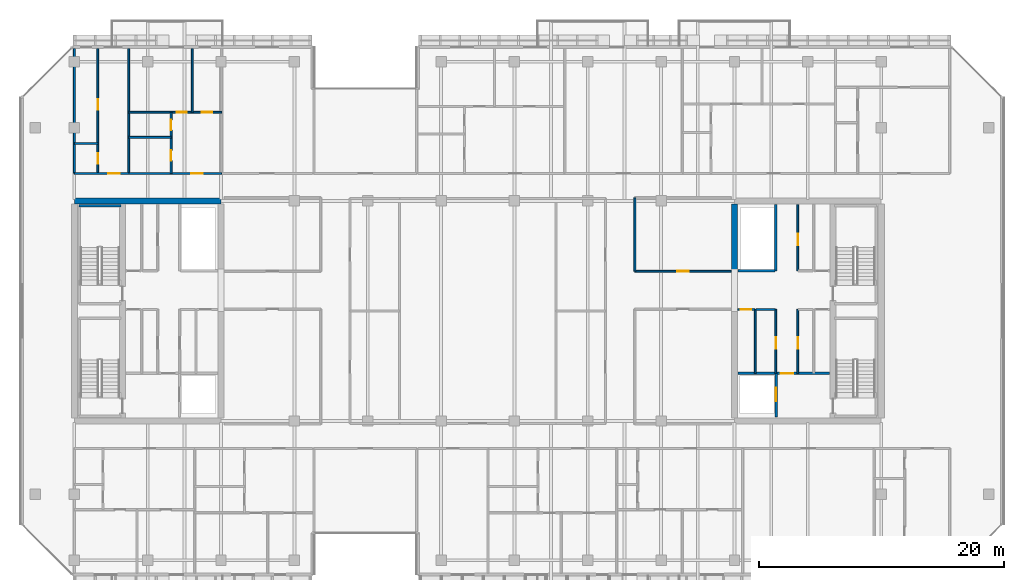
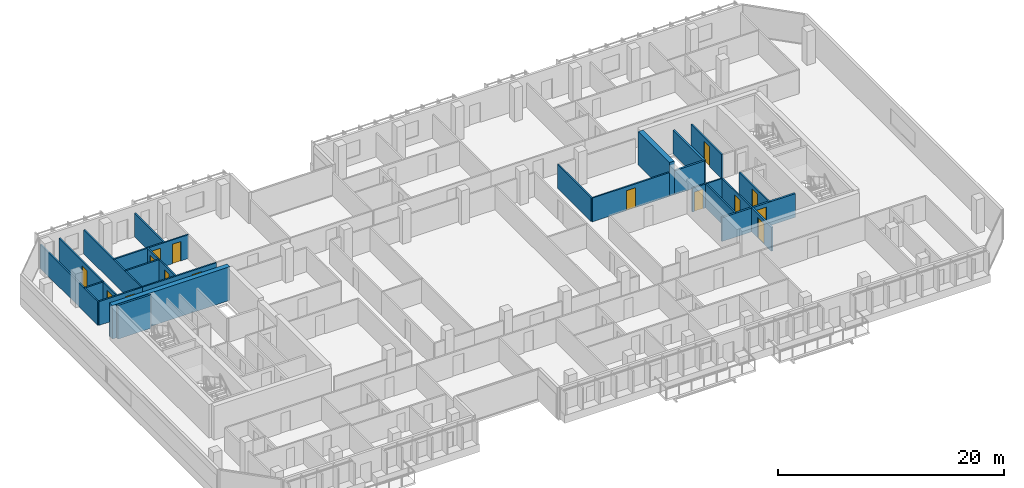
# One storey, part 22 of 31: 25 walls, 15 doors, 15 openings.
"""IFC4 building model written with IfcOpenShell, lengths in metres."""

import ifcopenshell
import ifcopenshell.guid

model = None  # the IFC model being written
_history = None  # IfcOwnerHistory: only IFC2X3 demands one
_inside = {}  # id of a spatial element -> (the spatial element, [elements in it])
_under = {}  # id of a project, library or spatial element -> (it, [spatial elements below it])
_declared = {}  # id of a project -> (the project, [libraries it declares])
_typed = {}  # id of a type object -> (the type object, [elements of that type])
_made_of = {}  # id of a material, layer set ... -> (it, [elements and type objects made of it])


def new_model(schema):
    """Start an empty IFC model of exactly this schema.

    Asked for "IFC4X3", IfcOpenShell would pick the latest addendum, in which some entities
    have other attributes; the version numbers below select the first issue.
    IFC2X3 requires an IfcOwnerHistory on every rooted entity: one is made here for all.
    """
    global model, _history
    if schema == "IFC4X3":
        model = ifcopenshell.file(schema_version=(4, 3, 0, 0))
    else:
        model = ifcopenshell.file(schema=schema)
    _inside.clear()
    _under.clear()
    _declared.clear()
    _typed.clear()
    _made_of.clear()
    _history = None
    if model.schema == "IFC2X3":
        org = make("IfcOrganization", Name="unknown")
        user = make(
            "IfcPersonAndOrganization",
            ThePerson=make("IfcPerson", FamilyName="unknown"),
            TheOrganization=org,
        )
        app = make(
            "IfcApplication",
            ApplicationDeveloper=org,
            Version="unknown",
            ApplicationFullName="unknown",
            ApplicationIdentifier="unknown",
        )
        _history = make(
            "IfcOwnerHistory",
            OwningUser=user,
            OwningApplication=app,
            ChangeAction="ADDED",
            CreationDate=0,
        )
    return model


def make(cls, **values):
    """One entity of the class cls with the attributes given. An attribute that is None is left unset."""
    return model.create_entity(
        cls, **{name: value for name, value in values.items() if value is not None}
    )


def rooted(cls, **values):
    """An entity with a GlobalId (a new one), such as an element, a storey or a relation."""
    return make(cls, GlobalId=ifcopenshell.guid.new(), OwnerHistory=_history, **values)


def si_unit(unit_type, name, prefix=None):
    """IfcSIUnit, for example si_unit("LENGTHUNIT", "METRE", prefix="MILLI")."""
    return make("IfcSIUnit", UnitType=unit_type, Prefix=prefix, Name=name)


def assignment(units):
    """IfcUnitAssignment: the units of a project."""
    return None if units is None else make("IfcUnitAssignment", Units=units)


def point(xyz):
    """IfcCartesianPoint."""
    return None if xyz is None else make("IfcCartesianPoint", Coordinates=xyz)


def direction(xyz):
    """IfcDirection."""
    return None if xyz is None else make("IfcDirection", DirectionRatios=xyz)


def frame(location, z_axis=None, x_axis=None):
    """IfcAxis2Placement3D, a coordinate frame: its origin and axes. An axis left out is left unset."""
    return make(
        "IfcAxis2Placement3D",
        Location=point(location),
        Axis=direction(z_axis),
        RefDirection=direction(x_axis),
    )


def frame_2d(location, x_axis=None):
    """IfcAxis2Placement2D, a coordinate frame in the plane: its origin and x axis."""
    return make(
        "IfcAxis2Placement2D", Location=point(location), RefDirection=direction(x_axis)
    )


def origin():
    """The frame at (0, 0, 0) with its axes left unset."""
    return frame((0.0, 0.0, 0.0))


def place(relative_to, where):
    """IfcLocalPlacement: puts the frame where relative to a parent placement (None: the world)."""
    return make(
        "IfcLocalPlacement", PlacementRelTo=relative_to, RelativePlacement=where
    )


def context(
    kind, dimensions, precision=None, world=None, true_north=None, identifier=None
):
    """IfcGeometricRepresentationContext, for example the 3D "Model" context."""
    return make(
        "IfcGeometricRepresentationContext",
        ContextIdentifier=identifier,
        ContextType=kind,
        CoordinateSpaceDimension=dimensions,
        Precision=precision,
        WorldCoordinateSystem=world,
        TrueNorth=true_north,
    )


def subcontext(parent, identifier, kind, view, scale=None):
    """IfcGeometricRepresentationSubContext, for example "Body" below "Model"."""
    return make(
        "IfcGeometricRepresentationSubContext",
        ContextIdentifier=identifier,
        ContextType=kind,
        ParentContext=parent,
        TargetScale=scale,
        TargetView=view,
    )


def project(units=None, contexts=None):
    """IfcProject with its units and contexts."""
    return rooted(
        "IfcProject",
        Name="project",
        RepresentationContexts=contexts,
        UnitsInContext=assignment(units),
    )


def spatial(cls, under=None, at=None, **own):
    """A site, building, storey or space (cls), placed at a placement, below another one or the project."""
    s = rooted(cls, ObjectPlacement=at, **own)
    if under is not None:
        _under.setdefault(under.id(), (under, []))[1].append(s)
    return s


def profile(cls, at=None, kind="AREA", **sizes):
    """A parametric profile (cls). Its sizes go by their IFC names, for example OverallWidth=200.0."""
    return make(cls, ProfileType=kind, Position=at, **sizes)


def rectangle(**sizes):
    """IfcRectangleProfileDef."""
    return profile("IfcRectangleProfileDef", **sizes)


def extrude(swept, where, along, depth):
    """IfcExtrudedAreaSolid: the profile swept, set in the frame where, extruded along a direction by depth."""
    return make(
        "IfcExtrudedAreaSolid",
        SweptArea=swept,
        Position=where,
        ExtrudedDirection=direction(along),
        Depth=depth,
    )


def shape(context_of_items, identifier, shape_type, items):
    """IfcShapeRepresentation: the items that make up one representation, for example the "Body"."""
    return make(
        "IfcShapeRepresentation",
        ContextOfItems=context_of_items,
        RepresentationIdentifier=identifier,
        RepresentationType=shape_type,
        Items=items,
    )


def material(Name=None, Category=None):
    """IfcMaterial."""
    return make("IfcMaterial", Name=Name, Category=Category)


def layer(
    of_material, thickness, ventilated=None, Name=None, Category=None, Priority=None
):
    """IfcMaterialLayer: one layer of a wall or slab, of a material (None: an air gap)."""
    return make(
        "IfcMaterialLayer",
        Material=of_material,
        LayerThickness=thickness,
        IsVentilated=ventilated,
        Name=Name,
        Category=Category,
        Priority=Priority,
    )


def layer_set(layers, Name=None):
    """IfcMaterialLayerSet."""
    return make("IfcMaterialLayerSet", MaterialLayers=layers, LayerSetName=Name)


def made_of(thing, what):
    """Note that an element or type object is made of a material, layer set ...; save() writes the relation."""
    if what is not None:
        _made_of.setdefault(what.id(), (what, []))[1].append(thing)
    return thing


def type_object(cls, material=None, **own):
    """A type object (cls), such as IfcWallType, which elements share."""
    return made_of(rooted(cls, **own), material)


def element(
    cls,
    number,
    at=None,
    inside=None,
    cuts=None,
    type_object=None,
    material=None,
    context=None,
    identifier="Body",
    shape_type=None,
    held_by="IfcProductDefinitionShape",
    body=None,
    shapes=None,
    **own,
):
    """One element of the class cls, such as IfcWall. Its Tag is "e" and its number.

    at: its placement. inside: the storey or other place that contains it. cuts: it is an
    opening in that element (IfcRelVoidsElement). A single representation is given by context,
    identifier, shape_type and body (its items); several are given by shapes. held_by: the class
    of the entity that holds the representations. save() writes the other relations.
    """
    e = rooted(cls, Tag="e%d" % number, ObjectPlacement=at, **own)
    if body is not None:
        shapes = [shape(context, identifier, shape_type, body)]
    if shapes is not None:
        e.Representation = make(held_by, Representations=shapes)
    if inside is not None:
        _inside.setdefault(inside.id(), (inside, []))[1].append(e)
    if cuts is not None:
        rooted(
            "IfcRelVoidsElement", RelatingBuildingElement=cuts, RelatedOpeningElement=e
        )
    if type_object is not None:
        _typed.setdefault(type_object.id(), (type_object, []))[1].append(e)
    return made_of(e, material)


def fill(opening, filler):
    """IfcRelFillsElement: the door or window that sits in an opening."""
    return rooted(
        "IfcRelFillsElement",
        RelatingOpeningElement=opening,
        RelatedBuildingElement=filler,
    )


def aggregate(whole, parts):
    """IfcRelAggregates: a whole, such as a stair, and the parts it consists of."""
    return rooted("IfcRelAggregates", RelatingObject=whole, RelatedObjects=parts)


def save(model, path):
    """Write the relations noted so far, then the file.

    IfcRelAggregates (storeys below a building ...), IfcRelContainedInSpatialStructure (elements
    in a storey), IfcRelDefinesByType, IfcRelAssociatesMaterial and IfcRelDeclares: one each for
    every whole, place, type object, material and project.
    """
    for whole, parts in _under.values():
        aggregate(whole, parts)
    for where, things in _inside.values():
        rooted(
            "IfcRelContainedInSpatialStructure",
            RelatedElements=things,
            RelatingStructure=where,
        )
    for kind, things in _typed.values():
        rooted("IfcRelDefinesByType", RelatedObjects=things, RelatingType=kind)
    for what, things in _made_of.values():
        rooted("IfcRelAssociatesMaterial", RelatedObjects=things, RelatingMaterial=what)
    for by, libraries in _declared.values():
        rooted("IfcRelDeclares", RelatingContext=by, RelatedDefinitions=libraries)
    model.write(path)


model = new_model("IFC4")

# Units and contexts
model_context = context("Model", 3, precision=1e-05, world=origin(), true_north=direction((0.0, 1.0)))
body_context = subcontext(model_context, "Body", "Model", "MODEL_VIEW")
ifc_project = project(units=[si_unit("LENGTHUNIT", "METRE"), si_unit("AREAUNIT", "SQUARE_METRE"), si_unit("VOLUMEUNIT", "CUBIC_METRE"), si_unit("PLANEANGLEUNIT", "RADIAN"), si_unit("MASSUNIT", "GRAM", prefix="KILO")], contexts=[model_context])

# Site, building, storey
site_placement = place(None, origin())
site = spatial("IfcSite", under=ifc_project, at=site_placement, CompositionType="ELEMENT")
building_placement = place(site_placement, origin())
building = spatial("IfcBuilding", under=site, at=building_placement, Name="Tanjung Sevakor Pilgrim Tower", CompositionType="ELEMENT")
storey_placement = place(building_placement, frame((0.0, 0.0, 169.2900390625)))
storey = spatial("IfcBuildingStorey", under=building, at=storey_placement, Name="L47", CompositionType="ELEMENT", Elevation=169.2900390625)

# Walls
ifc_material_1 = material(Name="Concrete C60/75", Category="concrete")
ifc_layer_1 = layer(ifc_material_1, 0.5)
ifc_layer_set_1 = layer_set([ifc_layer_1], Name="WALL-CW-500")
wall_type_1 = type_object("IfcWallType", Name="WALL-CW-500", PredefinedType="SHEAR", material=ifc_layer_set_1)
wall_1_placement = place(storey_placement, frame((36.0, 42.60009765625, 0.0), z_axis=(0.0, 0.0, 1.0), x_axis=(-1.0, 0.0, 0.0)))
element("IfcWall", 1, at=wall_1_placement, inside=storey, type_object=wall_type_1, Name="L47 W Core North Shear Wall", PredefinedType="SHEAR", context=body_context, shape_type="SweptSolid", body=[
    extrude(rectangle(XDim=12.0, YDim=0.5, at=frame_2d((6.0, 0.0))), origin(), (0.0, 0.0, 1.0), 3.6298828125),
])
wall_2_placement = place(storey_placement, frame((78.0, 36.800048828125, 0.0), z_axis=(0.0, 0.0, 1.0), x_axis=(0.0, 1.0, 0.0)))
element("IfcWall", 2, at=wall_2_placement, inside=storey, type_object=wall_type_1, Name="L47 E Core Inner Shear Wall North", PredefinedType="SHEAR", context=body_context, shape_type="SweptSolid", body=[
    extrude(rectangle(XDim=5.550048828125, YDim=0.5, at=frame_2d((2.77490234375, 0.0))), origin(), (0.0, 0.0, 1.0), 3.6298828125),
])

# Wall, opening, door
ifc_material_2 = material(Name="Concrete C40/50", Category="concrete")
ifc_layer_2 = layer(ifc_material_2, 0.14990234375)
ifc_layer_set_2 = layer_set([ifc_layer_2], Name="WT-COMP-150")
wall_type_2 = type_object("IfcWallType", Name="WT-COMP-150", PredefinedType="SOLIDWALL", material=ifc_layer_set_2)
wall_3_placement = place(storey_placement, frame((83.179931640625, 28.5, 0.0), z_axis=(0.0, 0.0, 1.0), x_axis=(0.0, 1.0, 0.0)))
wall_3 = element("IfcWall", 3, at=wall_3_placement, inside=storey, type_object=wall_type_2, Name="L47 Partition IW-L47-022", PredefinedType="SOLIDWALL", context=body_context, shape_type="SweptSolid", body=[
    extrude(rectangle(XDim=5.219970703125, YDim=0.14990234375, at=frame_2d((2.60986328125, 0.0))), origin(), (0.0, 0.0, 1.0), 2.570068359375),
])
opening_1_placement = place(wall_3_placement, frame((2.0, 0.0, 0.0)))
opening_1 = element("IfcOpeningElement", 4, at=opening_1_placement, cuts=wall_3, Name="Opening ID-FD2", PredefinedType="OPENING", context=body_context, shape_type="SweptSolid", body=[
    extrude(rectangle(XDim=0.949951171875, YDim=2.14990234375, at=frame_2d((0.47509765625, 1.074951171875))), frame((0.0, 0.0849609375, 0.0), z_axis=(0.0, -1.0, 0.0), x_axis=(1.0, 0.0, 0.0)), (0.0, 0.0, 1.0), 0.169921875),
])
ifc_material_3 = material(Name="Fire-Rated Timber", Category="wood")
door_type_1 = type_object("IfcDoorType", Name="DT-FIRE-950", OperationType="NOTDEFINED", PredefinedType="DOOR", material=ifc_material_3)
door_1_placement = place(opening_1_placement, origin())
door_1 = element("IfcDoor", 5, at=door_1_placement, inside=storey, type_object=door_type_1, Name="L47 Housekeeping Pantry Door", OperationType="SINGLE_SWING_LEFT", OverallHeight=2.14990234375, OverallWidth=0.949951171875, PredefinedType="DOOR", context=body_context, shape_type="SweptSolid", body=[
    extrude(rectangle(XDim=0.949951171875, YDim=2.14990234375, at=frame_2d((0.47509765625, 1.074951171875))), frame((0.0, 0.02490234375, 0.0), z_axis=(0.0, -1.0, 0.0), x_axis=(1.0, 0.0, 0.0)), (0.0, 0.0, 1.0), 0.050048828125),
])
fill(opening_1, door_1)

# Walls
wall_4_placement = place(storey_placement, frame((79.699951171875, 28.5, 0.0), z_axis=(0.0, 0.0, 1.0), x_axis=(0.0, 1.0, 0.0)))
element("IfcWall", 6, at=wall_4_placement, inside=storey, type_object=wall_type_2, Name="L47 Partition IW-L47-023", PredefinedType="SOLIDWALL", context=body_context, shape_type="SweptSolid", body=[
    extrude(rectangle(XDim=5.219970703125, YDim=0.14990234375, at=frame_2d((2.60986328125, 0.0))), origin(), (0.0, 0.0, 1.0), 2.570068359375),
])
wall_5_placement = place(storey_placement, frame((79.760009765625, 33.719970703125, 0.0), z_axis=(0.0, 0.0, 1.0), x_axis=(1.0, 0.0, 0.0)))
element("IfcWall", 7, at=wall_5_placement, inside=storey, type_object=wall_type_2, Name="L47 Partition IW-L47-024", PredefinedType="SOLIDWALL", context=body_context, shape_type="SweptSolid", body=[
    extrude(rectangle(XDim=1.56005859375, YDim=0.14990234375, at=frame_2d((0.780029296875, 0.0))), origin(), (0.0, 0.0, 1.0), 2.570068359375),
])

# Wall, opening, door
wall_6_placement = place(storey_placement, frame((78.27001953125, 33.719970703125, 0.0), z_axis=(0.0, 0.0, 1.0), x_axis=(1.0, 0.0, 0.0)))
wall_6 = element("IfcWall", 8, at=wall_6_placement, inside=storey, type_object=wall_type_2, Name="L47 Partition IW-L47-025", PredefinedType="SOLIDWALL", context=body_context, shape_type="SweptSolid", body=[
    extrude(rectangle(XDim=1.369873046875, YDim=0.14990234375, at=frame_2d((0.68505859375, 0.0))), origin(), (0.0, 0.0, 1.0), 2.570068359375),
])
opening_2_placement = place(wall_6_placement, frame((0.239990234375, 0.0, 0.0)))
opening_2 = element("IfcOpeningElement", 9, at=opening_2_placement, cuts=wall_6, Name="Opening ID-FD3", PredefinedType="OPENING", context=body_context, shape_type="SweptSolid", body=[
    extrude(rectangle(XDim=0.85009765625, YDim=2.10009765625, at=frame_2d((0.425048828125, 1.050048828125))), frame((0.0, 0.0849609375, 0.0), z_axis=(0.0, -1.0, 0.0), x_axis=(1.0, 0.0, 0.0)), (0.0, 0.0, 1.0), 0.169921875),
])
ifc_material_4 = material(Name="Fire-Rated Timber", Category="wood")
door_type_2 = type_object("IfcDoorType", Name="DT-FIRE-850", OperationType="NOTDEFINED", PredefinedType="DOOR", material=ifc_material_4)
door_2_placement = place(opening_2_placement, origin())
door_2 = element("IfcDoor", 10, at=door_2_placement, inside=storey, type_object=door_type_2, Name="L47 Service Store Door", OperationType="SINGLE_SWING_RIGHT", OverallHeight=2.10009765625, OverallWidth=0.85009765625, PredefinedType="DOOR", context=body_context, shape_type="SweptSolid", body=[
    extrude(rectangle(XDim=0.85009765625, YDim=2.10009765625, at=frame_2d((0.425048828125, 1.050048828125))), frame((0.0, 0.02490234375, 0.0), z_axis=(0.0, -1.0, 0.0), x_axis=(1.0, 0.0, 0.0)), (0.0, 0.0, 1.0), 0.050048828125),
])
fill(opening_2, door_2)

wall_7_placement = place(storey_placement, frame((81.3798828125, 28.5, 0.0), z_axis=(0.0, 0.0, 1.0), x_axis=(0.0, 1.0, 0.0)))
wall_7 = element("IfcWall", 11, at=wall_7_placement, inside=storey, type_object=wall_type_2, Name="L47 Partition IW-L47-026", PredefinedType="SOLIDWALL", context=body_context, shape_type="SweptSolid", body=[
    extrude(rectangle(XDim=5.219970703125, YDim=0.14990234375, at=frame_2d((2.60986328125, 0.0))), origin(), (0.0, 0.0, 1.0), 2.570068359375),
])
opening_3_placement = place(wall_7_placement, frame((2.0, 0.0, 0.0)))
opening_3 = element("IfcOpeningElement", 12, at=opening_3_placement, cuts=wall_7, Name="Opening ID-FD2", PredefinedType="OPENING", context=body_context, shape_type="SweptSolid", body=[
    extrude(rectangle(XDim=0.949951171875, YDim=2.14990234375, at=frame_2d((0.47509765625, 1.074951171875))), frame((0.0, 0.0849609375, 0.0), z_axis=(0.0, -1.0, 0.0), x_axis=(1.0, 0.0, 0.0)), (0.0, 0.0, 1.0), 0.169921875),
])
door_3_placement = place(opening_3_placement, origin())
door_3 = element("IfcDoor", 13, at=door_3_placement, inside=storey, type_object=door_type_1, Name="L47 Accessible WC Door", OperationType="SINGLE_SWING_LEFT", OverallHeight=2.14990234375, OverallWidth=0.949951171875, PredefinedType="DOOR", context=body_context, shape_type="SweptSolid", body=[
    extrude(rectangle(XDim=0.949951171875, YDim=2.14990234375, at=frame_2d((0.47509765625, 1.074951171875))), frame((0.0, 0.02490234375, 0.0), z_axis=(0.0, -1.0, 0.0), x_axis=(1.0, 0.0, 0.0)), (0.0, 0.0, 1.0), 0.050048828125),
])
fill(opening_3, door_3)

wall_8_placement = place(storey_placement, frame((83.179931640625, 36.8798828125, 0.0), z_axis=(0.0, 0.0, 1.0), x_axis=(0.0, 1.0, 0.0)))
wall_8 = element("IfcWall", 14, at=wall_8_placement, inside=storey, type_object=wall_type_2, Name="L47 Partition IW-L47-030", PredefinedType="SOLIDWALL", context=body_context, shape_type="SweptSolid", body=[
    extrude(rectangle(XDim=5.420166015625, YDim=0.14990234375, at=frame_2d((2.7099609375, 0.0))), origin(), (0.0, 0.0, 1.0), 2.570068359375),
])
opening_4_placement = place(wall_8_placement, frame((2.10009765625, 0.0, 0.0)))
opening_4 = element("IfcOpeningElement", 15, at=opening_4_placement, cuts=wall_8, Name="Opening ID-FD2", PredefinedType="OPENING", context=body_context, shape_type="SweptSolid", body=[
    extrude(rectangle(XDim=0.949951171875, YDim=2.14990234375, at=frame_2d((0.47509765625, 1.074951171875))), frame((0.0, 0.0849609375, 0.0), z_axis=(0.0, -1.0, 0.0), x_axis=(1.0, 0.0, 0.0)), (0.0, 0.0, 1.0), 0.169921875),
])
door_4_placement = place(opening_4_placement, origin())
door_4 = element("IfcDoor", 16, at=door_4_placement, inside=storey, type_object=door_type_1, Name="L47 Core Reading Room Door", OperationType="SINGLE_SWING_LEFT", OverallHeight=2.14990234375, OverallWidth=0.949951171875, PredefinedType="DOOR", context=body_context, shape_type="SweptSolid", body=[
    extrude(rectangle(XDim=0.949951171875, YDim=2.14990234375, at=frame_2d((0.47509765625, 1.074951171875))), frame((0.0, 0.02490234375, 0.0), z_axis=(0.0, -1.0, 0.0), x_axis=(1.0, 0.0, 0.0)), (0.0, 0.0, 1.0), 0.050048828125),
])
fill(opening_4, door_4)

wall_9_placement = place(storey_placement, frame((69.85009765625, 36.85009765625, 0.0), z_axis=(0.0, 0.0, 1.0), x_axis=(1.0, 0.0, 0.0)))
wall_9 = element("IfcWall", 17, at=wall_9_placement, inside=storey, type_object=wall_type_2, Name="L47 Partition IW-L47-042", PredefinedType="SOLIDWALL", context=body_context, shape_type="SweptSolid", body=[
    extrude(rectangle(XDim=7.8798828125, YDim=0.14990234375, at=frame_2d((3.93994140625, 0.0))), origin(), (0.0, 0.0, 1.0), 2.570068359375),
])
opening_5_placement = place(wall_9_placement, frame((3.465087890625, 0.0, 0.0)))
opening_5 = element("IfcOpeningElement", 18, at=opening_5_placement, cuts=wall_9, Name="Opening ID-RM1", PredefinedType="OPENING", context=body_context, shape_type="SweptSolid", body=[
    extrude(rectangle(XDim=0.949951171875, YDim=2.14990234375, at=frame_2d((0.47509765625, 1.074951171875))), frame((0.0, 0.0849609375, 0.0), z_axis=(0.0, -1.0, 0.0), x_axis=(1.0, 0.0, 0.0)), (0.0, 0.0, 1.0), 0.169921875),
])
ifc_material_5 = material(Name="Hardwood Timber", Category="wood")
door_type_3 = type_object("IfcDoorType", Name="DT-INT-950", OperationType="NOTDEFINED", PredefinedType="DOOR", material=ifc_material_5)
door_5_placement = place(opening_5_placement, origin())
door_5 = element("IfcDoor", 19, at=door_5_placement, inside=storey, type_object=door_type_3, Name="L47 East Inboard North Door", OperationType="SINGLE_SWING_LEFT", OverallHeight=2.14990234375, OverallWidth=0.949951171875, PredefinedType="DOOR", context=body_context, shape_type="SweptSolid", body=[
    extrude(rectangle(XDim=0.949951171875, YDim=2.14990234375, at=frame_2d((0.47509765625, 1.074951171875))), frame((0.0, 0.02490234375, 0.0), z_axis=(0.0, -1.0, 0.0), x_axis=(1.0, 0.0, 0.0)), (0.0, 0.0, 1.0), 0.050048828125),
])
fill(opening_5, door_5)

# Walls
wall_10_placement = place(storey_placement, frame((69.85009765625, 36.85009765625, 0.0), z_axis=(0.0, 0.0, 1.0), x_axis=(0.0, 1.0, 0.0)))
element("IfcWall", 20, at=wall_10_placement, inside=storey, type_object=wall_type_2, Name="L47 Partition IW-L47-044", PredefinedType="SOLIDWALL", context=body_context, shape_type="SweptSolid", body=[
    extrude(rectangle(XDim=6.0, YDim=0.14990234375, at=frame_2d((3.0, 0.0))), origin(), (0.0, 0.0, 1.0), 2.570068359375),
])
for number, where, z_axis, x_axis, name in (
    (21, (24.0, 44.85009765625, 0.0), (0.0, 0.0, 1.0), (0.0, 1.0, 0.0), "L47 Partition IW-L47-097"),
    (22, (28.457275390625, 44.85009765625, 0.0), (0.0, 0.0, 1.0), (0.0, 1.0, 0.0), "L47 Partition IW-L47-098"),
):
    element("IfcWall", number, at=place(storey_placement, frame(where, z_axis=z_axis, x_axis=x_axis)), inside=storey, type_object=wall_type_2, Name=name, PredefinedType="SOLIDWALL", context=body_context, shape_type="SweptSolid", body=[
        extrude(rectangle(XDim=10.199951171875, YDim=0.14990234375, at=frame_2d((5.10009765625, 0.0))), origin(), (0.0, 0.0, 1.0), 2.570068359375),
    ])

# Wall, opening, door
wall_11_placement = place(storey_placement, frame((24.0, 44.85009765625, 0.0), z_axis=(0.0, 0.0, 1.0), x_axis=(1.0, 0.0, 0.0)))
wall_11 = element("IfcWall", 23, at=wall_11_placement, inside=storey, type_object=wall_type_2, Name="L47 Partition IW-L47-101", PredefinedType="SOLIDWALL", context=body_context, shape_type="SweptSolid", body=[
    extrude(rectangle(XDim=4.457275390625, YDim=0.14990234375, at=frame_2d((2.228515625, 0.0))), origin(), (0.0, 0.0, 1.0), 2.570068359375),
])
opening_6_placement = place(wall_11_placement, frame((2.753662109375, 0.0, 0.0)))
opening_6 = element("IfcOpeningElement", 24, at=opening_6_placement, cuts=wall_11, Name="Opening ID-FD2", PredefinedType="OPENING", context=body_context, shape_type="SweptSolid", body=[
    extrude(rectangle(XDim=0.949951171875, YDim=2.14990234375, at=frame_2d((0.47509765625, 1.074951171875))), frame((0.0, 0.0849609375, 0.0), z_axis=(0.0, -1.0, 0.0), x_axis=(1.0, 0.0, 0.0)), (0.0, 0.0, 1.0), 0.169921875),
])
door_6_placement = place(opening_6_placement, origin())
door_6 = element("IfcDoor", 25, at=door_6_placement, inside=storey, type_object=door_type_1, Name="Hotel Guestroom Entrance", OperationType="SINGLE_SWING_RIGHT", OverallHeight=2.14990234375, OverallWidth=0.949951171875, PredefinedType="DOOR", context=body_context, shape_type="SweptSolid", body=[
    extrude(rectangle(XDim=0.949951171875, YDim=2.14990234375, at=frame_2d((0.47509765625, 1.074951171875))), frame((0.0, 0.02490234375, 0.0), z_axis=(0.0, -1.0, 0.0), x_axis=(1.0, 0.0, 0.0)), (0.0, 0.0, 1.0), 0.050048828125),
])
fill(opening_6, door_6)

wall_12_placement = place(storey_placement, frame((28.457275390625, 44.85009765625, 0.0), z_axis=(0.0, 0.0, 1.0), x_axis=(1.0, 0.0, 0.0)))
wall_12 = element("IfcWall", 26, at=wall_12_placement, inside=storey, type_object=wall_type_2, Name="L47 Partition IW-L47-107", PredefinedType="SOLIDWALL", context=body_context, shape_type="SweptSolid", body=[
    extrude(rectangle(XDim=7.593994140625, YDim=0.14990234375, at=frame_2d((3.796875, 0.0))), origin(), (0.0, 0.0, 1.0), 2.570068359375),
])
opening_7_placement = place(wall_12_placement, frame((5.09326171875, 0.0, 0.0)))
opening_7 = element("IfcOpeningElement", 27, at=opening_7_placement, cuts=wall_12, Name="Opening ID-FD2", PredefinedType="OPENING", context=body_context, shape_type="SweptSolid", body=[
    extrude(rectangle(XDim=0.949951171875, YDim=2.14990234375, at=frame_2d((0.47509765625, 1.074951171875))), frame((0.0, 0.0849609375, 0.0), z_axis=(0.0, -1.0, 0.0), x_axis=(1.0, 0.0, 0.0)), (0.0, 0.0, 1.0), 0.169921875),
])
door_7_placement = place(opening_7_placement, origin())
door_7 = element("IfcDoor", 28, at=door_7_placement, inside=storey, type_object=door_type_1, Name="Suite Entrance", OperationType="SINGLE_SWING_LEFT", OverallHeight=2.14990234375, OverallWidth=0.949951171875, PredefinedType="DOOR", context=body_context, shape_type="SweptSolid", body=[
    extrude(rectangle(XDim=0.949951171875, YDim=2.14990234375, at=frame_2d((0.47509765625, 1.074951171875))), frame((0.0, 0.02490234375, 0.0), z_axis=(0.0, -1.0, 0.0), x_axis=(1.0, 0.0, 0.0)), (0.0, 0.0, 1.0), 0.050048828125),
])
fill(opening_7, door_7)

# Wall
ifc_material_6 = material(Name="Concrete C40/50", Category="concrete")
ifc_layer_3 = layer(ifc_material_6, 0.199951171875)
ifc_layer_set_3 = layer_set([ifc_layer_3], Name="WT-FIRE-200")
wall_type_3 = type_object("IfcWallType", Name="WT-FIRE-200", PredefinedType="SOLIDWALL", material=ifc_layer_set_3)
wall_13_placement = place(storey_placement, frame((27.800048828125, 42.199951171875, 0.0), z_axis=(0.0, 0.0, 1.0), x_axis=(-1.0, 0.0, 0.0)))
element("IfcWall", 29, at=wall_13_placement, inside=storey, type_object=wall_type_3, Name="L47 TS-W2 Shaft Wall 2", PredefinedType="SOLIDWALL", context=body_context, shape_type="SweptSolid", body=[
    extrude(rectangle(XDim=3.400146484375, YDim=0.199951171875, at=frame_2d((1.7001953125, 0.0))), origin(), (0.0, 0.0, 1.0), 3.6298828125),
])

# Wall, opening, door
ifc_material_7 = material(Name="Concrete C40/50", Category="concrete")
ifc_layer_4 = layer(ifc_material_7, 0.199951171875)
ifc_layer_set_4 = layer_set([ifc_layer_4], Name="WT-FPRT-200")
wall_type_4 = type_object("IfcWallType", Name="WT-FPRT-200", PredefinedType="SOLIDWALL", material=ifc_layer_set_4)
wall_14_placement = place(storey_placement, frame((81.39990234375, 24.919921875, 0.0), z_axis=(0.0, 0.0, 1.0), x_axis=(0.0, 1.0, 0.0)))
wall_14 = element("IfcWall", 30, at=wall_14_placement, inside=storey, type_object=wall_type_4, Name="L47 Partition IW-L47-017", PredefinedType="SOLIDWALL", context=body_context, shape_type="SweptSolid", body=[
    extrude(rectangle(XDim=3.580078125, YDim=0.199951171875, at=frame_2d((1.7900390625, 0.0))), origin(), (0.0, 0.0, 1.0), 2.570068359375),
])
opening_8_placement = place(wall_14_placement, frame((1.300048828125, 0.0, 0.0)))
opening_8 = element("IfcOpeningElement", 31, at=opening_8_placement, cuts=wall_14, Name="Opening LD-1100", PredefinedType="OPENING", context=body_context, shape_type="SweptSolid", body=[
    extrude(rectangle(XDim=1.10009765625, YDim=2.199951171875, at=frame_2d((0.550048828125, 1.10009765625))), frame((0.0, 0.10986328125, 0.0), z_axis=(0.0, -1.0, 0.0), x_axis=(1.0, 0.0, 0.0)), (0.0, 0.0, 1.0), 0.219970703125),
])
ifc_material_8 = material(Name="Brushed Stainless Steel S355J2", Category="steel")
door_type_4 = type_object("IfcDoorType", Name="DT-LIFT-1100", OperationType="SLIDING_TO_LEFT", PredefinedType="DOOR", material=ifc_material_8)
door_8_placement = place(opening_8_placement, origin())
door_8 = element("IfcDoor", 32, at=door_8_placement, inside=storey, type_object=door_type_4, Name="LD-FL-E", OperationType="SLIDING_TO_LEFT", OverallHeight=2.199951171875, OverallWidth=1.10009765625, PredefinedType="DOOR", context=body_context, shape_type="SweptSolid", body=[
    extrude(rectangle(XDim=1.10009765625, YDim=2.199951171875, at=frame_2d((0.550048828125, 1.10009765625))), frame((0.0, 0.02490234375, 0.0), z_axis=(0.0, -1.0, 0.0), x_axis=(1.0, 0.0, 0.0)), (0.0, 0.0, 1.0), 0.050048828125),
])
fill(opening_8, door_8)

wall_15_placement = place(storey_placement, frame((78.27001953125, 28.5, 0.0), z_axis=(0.0, 0.0, 1.0), x_axis=(1.0, 0.0, 0.0)))
wall_15 = element("IfcWall", 33, at=wall_15_placement, inside=storey, type_object=wall_type_4, Name="L47 Partition IW-L47-018", PredefinedType="SOLIDWALL", context=body_context, shape_type="SweptSolid", body=[
    extrude(rectangle(XDim=7.510009765625, YDim=0.199951171875, at=frame_2d((3.7548828125, 0.0))), origin(), (0.0, 0.0, 1.0), 2.570068359375),
])
opening_9_placement = place(wall_15_placement, frame((3.530029296875, 0.0, 0.0)))
opening_9 = element("IfcOpeningElement", 34, at=opening_9_placement, cuts=wall_15, Name="Opening ID-FD1", PredefinedType="OPENING", context=body_context, shape_type="SweptSolid", body=[
    extrude(rectangle(XDim=1.0, YDim=2.14990234375, at=frame_2d((0.5, 1.074951171875))), frame((0.0, 0.10986328125, 0.0), z_axis=(0.0, -1.0, 0.0), x_axis=(1.0, 0.0, 0.0)), (0.0, 0.0, 1.0), 0.219970703125),
])
ifc_material_9 = material(Name="Fire-Rated Steel S355J2", Category="steel")
door_type_5 = type_object("IfcDoorType", Name="DT-FIRE-1000", OperationType="NOTDEFINED", PredefinedType="DOOR", material=ifc_material_9)
door_9_placement = place(opening_9_placement, origin())
door_9 = element("IfcDoor", 35, at=door_9_placement, inside=storey, type_object=door_type_5, Name="Fire Lobby Door E", OperationType="SINGLE_SWING_LEFT", OverallHeight=2.14990234375, OverallWidth=1.0, PredefinedType="DOOR", context=body_context, shape_type="SweptSolid", body=[
    extrude(rectangle(XDim=1.0, YDim=2.14990234375, at=frame_2d((0.5, 1.074951171875))), frame((0.0, 0.02490234375, 0.0), z_axis=(0.0, -1.0, 0.0), x_axis=(1.0, 0.0, 0.0)), (0.0, 0.0, 1.0), 0.050048828125),
])
fill(opening_9, door_9)

# Walls
wall_16_placement = place(storey_placement, frame((78.27001953125, 36.8798828125, 0.0), z_axis=(0.0, 0.0, 1.0), x_axis=(1.0, 0.0, 0.0)))
element("IfcWall", 36, at=wall_16_placement, inside=storey, type_object=wall_type_4, Name="L47 Partition IW-L47-031", PredefinedType="SOLIDWALL", context=body_context, shape_type="SweptSolid", body=[
    extrude(rectangle(XDim=3.050048828125, YDim=0.199951171875, at=frame_2d((1.52490234375, 0.0))), origin(), (0.0, 0.0, 1.0), 2.570068359375),
])
wall_17_placement = place(storey_placement, frame((81.3798828125, 36.8798828125, 0.0), z_axis=(0.0, 0.0, 1.0), x_axis=(0.0, 1.0, 0.0)))
element("IfcWall", 37, at=wall_17_placement, inside=storey, type_object=wall_type_4, Name="L47 Partition IW-L47-032", PredefinedType="SOLIDWALL", context=body_context, shape_type="SweptSolid", body=[
    extrude(rectangle(XDim=5.420166015625, YDim=0.199951171875, at=frame_2d((2.7099609375, 0.0))), origin(), (0.0, 0.0, 1.0), 2.570068359375),
])
ifc_material_10 = material(Name="Gypsum Board Partition", Category="gypsum board")
ifc_layer_5 = layer(ifc_material_10, 0.14990234375)
ifc_layer_set_5 = layer_set([ifc_layer_5], Name="WT-PART-150")
wall_type_5 = type_object("IfcWallType", Name="WT-PART-150", PredefinedType="PARTITIONING", material=ifc_layer_set_5)
wall_18_placement = place(storey_placement, frame((24.0, 47.300048828125, 0.0), z_axis=(0.0, 0.0, 1.0), x_axis=(1.0, 0.0, 0.0)))
element("IfcWall", 38, at=wall_18_placement, inside=storey, type_object=wall_type_5, Name="L47 Partition IW-L47-099", PredefinedType="PARTITIONING", context=body_context, shape_type="SweptSolid", body=[
    extrude(rectangle(XDim=1.919921875, YDim=0.14990234375, at=frame_2d((0.9599609375, 0.0))), origin(), (0.0, 0.0, 1.0), 2.570068359375),
])

# Wall, openings, doors
wall_19_placement = place(storey_placement, frame((25.919921875, 44.85009765625, 0.0), z_axis=(0.0, 0.0, 1.0), x_axis=(0.0, 1.0, 0.0)))
wall_19 = element("IfcWall", 39, at=wall_19_placement, inside=storey, type_object=wall_type_5, Name="L47 Partition IW-L47-100", PredefinedType="PARTITIONING", context=body_context, shape_type="SweptSolid", body=[
    extrude(rectangle(XDim=10.199951171875, YDim=0.14990234375, at=frame_2d((5.10009765625, 0.0))), origin(), (0.0, 0.0, 1.0), 2.570068359375),
])
opening_10_placement = place(wall_19_placement, frame((0.800048828125, 0.0, 0.0)))
opening_10 = element("IfcOpeningElement", 40, at=opening_10_placement, cuts=wall_19, Name="Opening ID-WC1", PredefinedType="OPENING", context=body_context, shape_type="SweptSolid", body=[
    extrude(rectangle(XDim=0.85009765625, YDim=2.10009765625, at=frame_2d((0.425048828125, 1.050048828125))), frame((0.0, 0.0849609375, 0.0), z_axis=(0.0, -1.0, 0.0), x_axis=(1.0, 0.0, 0.0)), (0.0, 0.0, 1.0), 0.169921875),
])
opening_11_placement = place(wall_19_placement, frame((5.2099609375, 0.0, 0.0)))
opening_11 = element("IfcOpeningElement", 41, at=opening_11_placement, cuts=wall_19, Name="Opening ID-WC1", PredefinedType="OPENING", context=body_context, shape_type="SweptSolid", body=[
    extrude(rectangle(XDim=0.85009765625, YDim=2.10009765625, at=frame_2d((0.425048828125, 1.050048828125))), frame((0.0, 0.0849609375, 0.0), z_axis=(0.0, -1.0, 0.0), x_axis=(1.0, 0.0, 0.0)), (0.0, 0.0, 1.0), 0.169921875),
])
ifc_material_11 = material(Name="Moisture-Resistant Timber", Category="wood")
door_type_6 = type_object("IfcDoorType", Name="DT-INT-850", OperationType="NOTDEFINED", PredefinedType="DOOR", material=ifc_material_11)
door_10_placement = place(opening_10_placement, origin())
door_10 = element("IfcDoor", 42, at=door_10_placement, inside=storey, type_object=door_type_6, Name="Bathroom Door", OperationType="SINGLE_SWING_RIGHT", OverallHeight=2.10009765625, OverallWidth=0.85009765625, PredefinedType="DOOR", context=body_context, shape_type="SweptSolid", body=[
    extrude(rectangle(XDim=0.85009765625, YDim=2.10009765625, at=frame_2d((0.425048828125, 1.050048828125))), frame((0.0, 0.02490234375, 0.0), z_axis=(0.0, -1.0, 0.0), x_axis=(1.0, 0.0, 0.0)), (0.0, 0.0, 1.0), 0.050048828125),
])
fill(opening_10, door_10)
door_11_placement = place(opening_11_placement, origin())
door_11 = element("IfcDoor", 43, at=door_11_placement, inside=storey, type_object=door_type_6, Name="Study Nook Door", OperationType="SINGLE_SWING_LEFT", OverallHeight=2.10009765625, OverallWidth=0.85009765625, PredefinedType="DOOR", context=body_context, shape_type="SweptSolid", body=[
    extrude(rectangle(XDim=0.85009765625, YDim=2.10009765625, at=frame_2d((0.425048828125, 1.050048828125))), frame((0.0, 0.02490234375, 0.0), z_axis=(0.0, -1.0, 0.0), x_axis=(1.0, 0.0, 0.0)), (0.0, 0.0, 1.0), 0.050048828125),
])
fill(opening_11, door_11)

# Wall
wall_20_placement = place(storey_placement, frame((28.457275390625, 47.800048828125, 0.0), z_axis=(0.0, 0.0, 1.0), x_axis=(1.0, 0.0, 0.0)))
element("IfcWall", 44, at=wall_20_placement, inside=storey, type_object=wall_type_5, Name="L47 Partition IW-L47-103", PredefinedType="PARTITIONING", context=body_context, shape_type="SweptSolid", body=[
    extrude(rectangle(XDim=3.462646484375, YDim=0.14990234375, at=frame_2d((1.7314453125, 0.0))), origin(), (0.0, 0.0, 1.0), 2.570068359375),
])

# Wall, openings, doors
wall_21_placement = place(storey_placement, frame((31.919921875, 44.85009765625, 0.0), z_axis=(0.0, 0.0, 1.0), x_axis=(0.0, 1.0, 0.0)))
wall_21 = element("IfcWall", 45, at=wall_21_placement, inside=storey, type_object=wall_type_5, Name="L47 Partition IW-L47-104", PredefinedType="PARTITIONING", context=body_context, shape_type="SweptSolid", body=[
    extrude(rectangle(XDim=5.0, YDim=0.14990234375, at=frame_2d((2.5, 0.0))), origin(), (0.0, 0.0, 1.0), 2.570068359375),
])
opening_12_placement = place(wall_21_placement, frame((1.050048828125, 0.0, 0.0)))
opening_12 = element("IfcOpeningElement", 46, at=opening_12_placement, cuts=wall_21, Name="Opening ID-WC1", PredefinedType="OPENING", context=body_context, shape_type="SweptSolid", body=[
    extrude(rectangle(XDim=0.85009765625, YDim=2.10009765625, at=frame_2d((0.425048828125, 1.050048828125))), frame((0.0, 0.0849609375, 0.0), z_axis=(0.0, -1.0, 0.0), x_axis=(1.0, 0.0, 0.0)), (0.0, 0.0, 1.0), 0.169921875),
])
opening_13_placement = place(wall_21_placement, frame((3.550048828125, 0.0, 0.0)))
opening_13 = element("IfcOpeningElement", 47, at=opening_13_placement, cuts=wall_21, Name="Opening ID-WC1", PredefinedType="OPENING", context=body_context, shape_type="SweptSolid", body=[
    extrude(rectangle(XDim=0.85009765625, YDim=2.10009765625, at=frame_2d((0.425048828125, 1.050048828125))), frame((0.0, 0.0849609375, 0.0), z_axis=(0.0, -1.0, 0.0), x_axis=(1.0, 0.0, 0.0)), (0.0, 0.0, 1.0), 0.169921875),
])
door_12_placement = place(opening_12_placement, origin())
door_12 = element("IfcDoor", 48, at=door_12_placement, inside=storey, type_object=door_type_6, Name="Suite Kitchenette Door", OperationType="SINGLE_SWING_LEFT", OverallHeight=2.10009765625, OverallWidth=0.85009765625, PredefinedType="DOOR", context=body_context, shape_type="SweptSolid", body=[
    extrude(rectangle(XDim=0.85009765625, YDim=2.10009765625, at=frame_2d((0.425048828125, 1.050048828125))), frame((0.0, 0.02490234375, 0.0), z_axis=(0.0, -1.0, 0.0), x_axis=(1.0, 0.0, 0.0)), (0.0, 0.0, 1.0), 0.050048828125),
])
fill(opening_12, door_12)
door_13_placement = place(opening_13_placement, origin())
door_13 = element("IfcDoor", 49, at=door_13_placement, inside=storey, type_object=door_type_6, Name="Suite Bathroom Door", OperationType="SINGLE_SWING_RIGHT", OverallHeight=2.10009765625, OverallWidth=0.85009765625, PredefinedType="DOOR", context=body_context, shape_type="SweptSolid", body=[
    extrude(rectangle(XDim=0.85009765625, YDim=2.10009765625, at=frame_2d((0.425048828125, 1.050048828125))), frame((0.0, 0.02490234375, 0.0), z_axis=(0.0, -1.0, 0.0), x_axis=(1.0, 0.0, 0.0)), (0.0, 0.0, 1.0), 0.050048828125),
])
fill(opening_13, door_13)

# Wall
wall_22_placement = place(storey_placement, frame((33.651123046875, 49.85009765625, 0.0), z_axis=(0.0, 0.0, 1.0), x_axis=(0.0, 1.0, 0.0)))
element("IfcWall", 50, at=wall_22_placement, inside=storey, type_object=wall_type_5, Name="L47 Partition IW-L47-105", PredefinedType="PARTITIONING", context=body_context, shape_type="SweptSolid", body=[
    extrude(rectangle(XDim=5.199951171875, YDim=0.14990234375, at=frame_2d((2.60009765625, 0.0))), origin(), (0.0, 0.0, 1.0), 2.570068359375),
])

# Wall, openings, doors
wall_23_placement = place(storey_placement, frame((28.457275390625, 49.85009765625, 0.0), z_axis=(0.0, 0.0, 1.0), x_axis=(1.0, 0.0, 0.0)))
wall_23 = element("IfcWall", 51, at=wall_23_placement, inside=storey, type_object=wall_type_5, Name="L47 Partition IW-L47-106", PredefinedType="PARTITIONING", context=body_context, shape_type="SweptSolid", body=[
    extrude(rectangle(XDim=7.593994140625, YDim=0.14990234375, at=frame_2d((3.796875, 0.0))), origin(), (0.0, 0.0, 1.0), 2.570068359375),
])
opening_14_placement = place(wall_23_placement, frame((3.9033203125, 0.0, 0.0)))
opening_14 = element("IfcOpeningElement", 52, at=opening_14_placement, cuts=wall_23, Name="Opening ID-WC1", PredefinedType="OPENING", context=body_context, shape_type="SweptSolid", body=[
    extrude(rectangle(XDim=0.85009765625, YDim=2.10009765625, at=frame_2d((0.425048828125, 1.050048828125))), frame((0.0, 0.0849609375, 0.0), z_axis=(0.0, -1.0, 0.0), x_axis=(1.0, 0.0, 0.0)), (0.0, 0.0, 1.0), 0.169921875),
])
opening_15_placement = place(wall_23_placement, frame((5.968994140625, 0.0, 0.0)))
opening_15 = element("IfcOpeningElement", 53, at=opening_15_placement, cuts=wall_23, Name="Opening ID-WC1", PredefinedType="OPENING", context=body_context, shape_type="SweptSolid", body=[
    extrude(rectangle(XDim=0.85009765625, YDim=2.10009765625, at=frame_2d((0.425048828125, 1.050048828125))), frame((0.0, 0.0849609375, 0.0), z_axis=(0.0, -1.0, 0.0), x_axis=(1.0, 0.0, 0.0)), (0.0, 0.0, 1.0), 0.169921875),
])
door_14_placement = place(opening_14_placement, origin())
door_14 = element("IfcDoor", 54, at=door_14_placement, inside=storey, type_object=door_type_6, Name="Suite Bedroom 1 Door", OperationType="SINGLE_SWING_LEFT", OverallHeight=2.10009765625, OverallWidth=0.85009765625, PredefinedType="DOOR", context=body_context, shape_type="SweptSolid", body=[
    extrude(rectangle(XDim=0.85009765625, YDim=2.10009765625, at=frame_2d((0.425048828125, 1.050048828125))), frame((0.0, 0.02490234375, 0.0), z_axis=(0.0, -1.0, 0.0), x_axis=(1.0, 0.0, 0.0)), (0.0, 0.0, 1.0), 0.050048828125),
])
fill(opening_14, door_14)
door_15_placement = place(opening_15_placement, origin())
door_15 = element("IfcDoor", 55, at=door_15_placement, inside=storey, type_object=door_type_6, Name="Suite Bedroom 2 Door", OperationType="SINGLE_SWING_RIGHT", OverallHeight=2.10009765625, OverallWidth=0.85009765625, PredefinedType="DOOR", context=body_context, shape_type="SweptSolid", body=[
    extrude(rectangle(XDim=0.85009765625, YDim=2.10009765625, at=frame_2d((0.425048828125, 1.050048828125))), frame((0.0, 0.02490234375, 0.0), z_axis=(0.0, -1.0, 0.0), x_axis=(1.0, 0.0, 0.0)), (0.0, 0.0, 1.0), 0.050048828125),
])
fill(opening_15, door_15)

save(model, "model.ifc")
